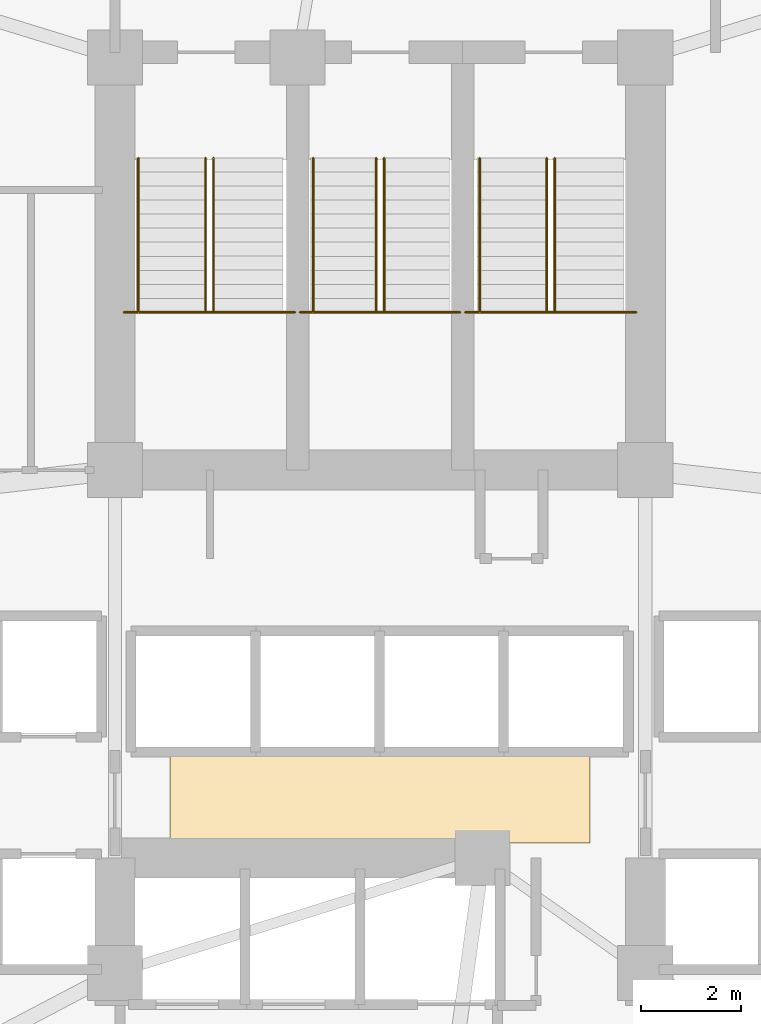
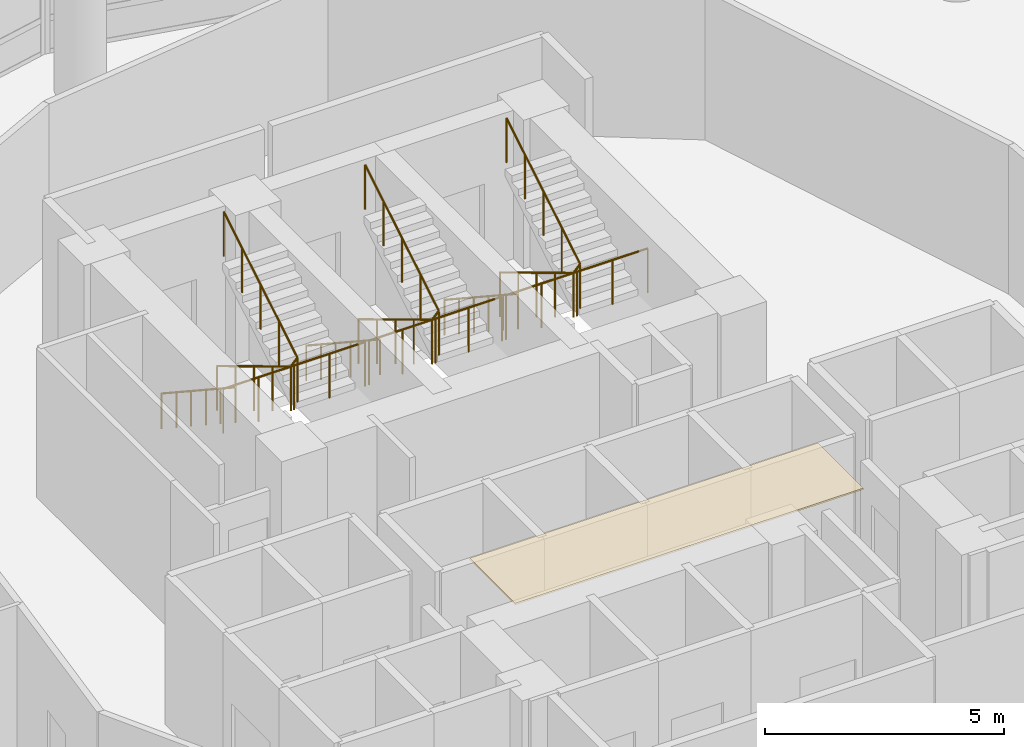
# One storey, part 24 of 24: 9 railings, 1 covering.
"""IFC4 building model written with IfcOpenShell, lengths in metres."""

import ifcopenshell
import ifcopenshell.guid

model = None  # the IFC model being written
_history = None  # IfcOwnerHistory: only IFC2X3 demands one
_inside = {}  # id of a spatial element -> (the spatial element, [elements in it])
_under = {}  # id of a project, library or spatial element -> (it, [spatial elements below it])
_declared = {}  # id of a project -> (the project, [libraries it declares])
_typed = {}  # id of a type object -> (the type object, [elements of that type])
_made_of = {}  # id of a material, layer set ... -> (it, [elements and type objects made of it])


def new_model(schema):
    """Start an empty IFC model of exactly this schema.

    Asked for "IFC4X3", IfcOpenShell would pick the latest addendum, in which some entities
    have other attributes; the version numbers below select the first issue.
    IFC2X3 requires an IfcOwnerHistory on every rooted entity: one is made here for all.
    """
    global model, _history
    if schema == "IFC4X3":
        model = ifcopenshell.file(schema_version=(4, 3, 0, 0))
    else:
        model = ifcopenshell.file(schema=schema)
    _inside.clear()
    _under.clear()
    _declared.clear()
    _typed.clear()
    _made_of.clear()
    _history = None
    if model.schema == "IFC2X3":
        org = make("IfcOrganization", Name="unknown")
        user = make(
            "IfcPersonAndOrganization",
            ThePerson=make("IfcPerson", FamilyName="unknown"),
            TheOrganization=org,
        )
        app = make(
            "IfcApplication",
            ApplicationDeveloper=org,
            Version="unknown",
            ApplicationFullName="unknown",
            ApplicationIdentifier="unknown",
        )
        _history = make(
            "IfcOwnerHistory",
            OwningUser=user,
            OwningApplication=app,
            ChangeAction="ADDED",
            CreationDate=0,
        )
    return model


def make(cls, **values):
    """One entity of the class cls with the attributes given. An attribute that is None is left unset."""
    return model.create_entity(
        cls, **{name: value for name, value in values.items() if value is not None}
    )


def rooted(cls, **values):
    """An entity with a GlobalId (a new one), such as an element, a storey or a relation."""
    return make(cls, GlobalId=ifcopenshell.guid.new(), OwnerHistory=_history, **values)


def si_unit(unit_type, name, prefix=None):
    """IfcSIUnit, for example si_unit("LENGTHUNIT", "METRE", prefix="MILLI")."""
    return make("IfcSIUnit", UnitType=unit_type, Prefix=prefix, Name=name)


def assignment(units):
    """IfcUnitAssignment: the units of a project."""
    return None if units is None else make("IfcUnitAssignment", Units=units)


def point(xyz):
    """IfcCartesianPoint."""
    return None if xyz is None else make("IfcCartesianPoint", Coordinates=xyz)


def direction(xyz):
    """IfcDirection."""
    return None if xyz is None else make("IfcDirection", DirectionRatios=xyz)


def frame(location, z_axis=None, x_axis=None):
    """IfcAxis2Placement3D, a coordinate frame: its origin and axes. An axis left out is left unset."""
    return make(
        "IfcAxis2Placement3D",
        Location=point(location),
        Axis=direction(z_axis),
        RefDirection=direction(x_axis),
    )


def origin():
    """The frame at (0, 0, 0) with its axes left unset."""
    return frame((0.0, 0.0, 0.0))


def place(relative_to, where):
    """IfcLocalPlacement: puts the frame where relative to a parent placement (None: the world)."""
    return make(
        "IfcLocalPlacement", PlacementRelTo=relative_to, RelativePlacement=where
    )


def context(
    kind, dimensions, precision=None, world=None, true_north=None, identifier=None
):
    """IfcGeometricRepresentationContext, for example the 3D "Model" context."""
    return make(
        "IfcGeometricRepresentationContext",
        ContextIdentifier=identifier,
        ContextType=kind,
        CoordinateSpaceDimension=dimensions,
        Precision=precision,
        WorldCoordinateSystem=world,
        TrueNorth=true_north,
    )


def subcontext(parent, identifier, kind, view, scale=None):
    """IfcGeometricRepresentationSubContext, for example "Body" below "Model"."""
    return make(
        "IfcGeometricRepresentationSubContext",
        ContextIdentifier=identifier,
        ContextType=kind,
        ParentContext=parent,
        TargetScale=scale,
        TargetView=view,
    )


def project(units=None, contexts=None):
    """IfcProject with its units and contexts."""
    return rooted(
        "IfcProject",
        Name="project",
        RepresentationContexts=contexts,
        UnitsInContext=assignment(units),
    )


def spatial(cls, under=None, at=None, **own):
    """A site, building, storey or space (cls), placed at a placement, below another one or the project."""
    s = rooted(cls, ObjectPlacement=at, **own)
    if under is not None:
        _under.setdefault(under.id(), (under, []))[1].append(s)
    return s


def polyline(points):
    """IfcPolyline through the points."""
    return make("IfcPolyline", Points=[point(p) for p in points])


def outline(outer, holes=None, kind="AREA"):
    """IfcArbitraryClosedProfileDef: a profile drawn as a closed curve; with holes, ...WithVoids."""
    if holes is None:
        return make("IfcArbitraryClosedProfileDef", ProfileType=kind, OuterCurve=outer)
    return make(
        "IfcArbitraryProfileDefWithVoids",
        ProfileType=kind,
        OuterCurve=outer,
        InnerCurves=holes,
    )


def extrude(swept, where, along, depth):
    """IfcExtrudedAreaSolid: the profile swept, set in the frame where, extruded along a direction by depth."""
    return make(
        "IfcExtrudedAreaSolid",
        SweptArea=swept,
        Position=where,
        ExtrudedDirection=direction(along),
        Depth=depth,
    )


def shape(context_of_items, identifier, shape_type, items):
    """IfcShapeRepresentation: the items that make up one representation, for example the "Body"."""
    return make(
        "IfcShapeRepresentation",
        ContextOfItems=context_of_items,
        RepresentationIdentifier=identifier,
        RepresentationType=shape_type,
        Items=items,
    )


def material(Name=None, Category=None):
    """IfcMaterial."""
    return make("IfcMaterial", Name=Name, Category=Category)


def layer(
    of_material, thickness, ventilated=None, Name=None, Category=None, Priority=None
):
    """IfcMaterialLayer: one layer of a wall or slab, of a material (None: an air gap)."""
    return make(
        "IfcMaterialLayer",
        Material=of_material,
        LayerThickness=thickness,
        IsVentilated=ventilated,
        Name=Name,
        Category=Category,
        Priority=Priority,
    )


def layer_set(layers, Name=None):
    """IfcMaterialLayerSet."""
    return make("IfcMaterialLayerSet", MaterialLayers=layers, LayerSetName=Name)


def made_of(thing, what):
    """Note that an element or type object is made of a material, layer set ...; save() writes the relation."""
    if what is not None:
        _made_of.setdefault(what.id(), (what, []))[1].append(thing)
    return thing


def type_object(cls, material=None, **own):
    """A type object (cls), such as IfcWallType, which elements share."""
    return made_of(rooted(cls, **own), material)


def element(
    cls,
    number,
    at=None,
    inside=None,
    cuts=None,
    type_object=None,
    material=None,
    context=None,
    identifier="Body",
    shape_type=None,
    held_by="IfcProductDefinitionShape",
    body=None,
    shapes=None,
    **own,
):
    """One element of the class cls, such as IfcWall. Its Tag is "e" and its number.

    at: its placement. inside: the storey or other place that contains it. cuts: it is an
    opening in that element (IfcRelVoidsElement). A single representation is given by context,
    identifier, shape_type and body (its items); several are given by shapes. held_by: the class
    of the entity that holds the representations. save() writes the other relations.
    """
    e = rooted(cls, Tag="e%d" % number, ObjectPlacement=at, **own)
    if body is not None:
        shapes = [shape(context, identifier, shape_type, body)]
    if shapes is not None:
        e.Representation = make(held_by, Representations=shapes)
    if inside is not None:
        _inside.setdefault(inside.id(), (inside, []))[1].append(e)
    if cuts is not None:
        rooted(
            "IfcRelVoidsElement", RelatingBuildingElement=cuts, RelatedOpeningElement=e
        )
    if type_object is not None:
        _typed.setdefault(type_object.id(), (type_object, []))[1].append(e)
    return made_of(e, material)


def aggregate(whole, parts):
    """IfcRelAggregates: a whole, such as a stair, and the parts it consists of."""
    return rooted("IfcRelAggregates", RelatingObject=whole, RelatedObjects=parts)


def save(model, path):
    """Write the relations noted so far, then the file.

    IfcRelAggregates (storeys below a building ...), IfcRelContainedInSpatialStructure (elements
    in a storey), IfcRelDefinesByType, IfcRelAssociatesMaterial and IfcRelDeclares: one each for
    every whole, place, type object, material and project.
    """
    for whole, parts in _under.values():
        aggregate(whole, parts)
    for where, things in _inside.values():
        rooted(
            "IfcRelContainedInSpatialStructure",
            RelatedElements=things,
            RelatingStructure=where,
        )
    for kind, things in _typed.values():
        rooted("IfcRelDefinesByType", RelatedObjects=things, RelatingType=kind)
    for what, things in _made_of.values():
        rooted("IfcRelAssociatesMaterial", RelatedObjects=things, RelatingMaterial=what)
    for by, libraries in _declared.values():
        rooted("IfcRelDeclares", RelatingContext=by, RelatedDefinitions=libraries)
    model.write(path)


model = new_model("IFC4")

# Units and contexts
model_context = context("Model", 3, precision=1e-05, world=origin(), true_north=direction((0.0, 1.0)))
body_context = subcontext(model_context, "Body", "Model", "MODEL_VIEW")
ifc_project = project(units=[si_unit("LENGTHUNIT", "METRE"), si_unit("AREAUNIT", "SQUARE_METRE"), si_unit("VOLUMEUNIT", "CUBIC_METRE"), si_unit("PLANEANGLEUNIT", "RADIAN"), si_unit("MASSUNIT", "GRAM", prefix="KILO")], contexts=[model_context])

# Site, building, storey
site_placement = place(None, origin())
site = spatial("IfcSite", under=ifc_project, at=site_placement, CompositionType="ELEMENT")
building_placement = place(site_placement, origin())
building = spatial("IfcBuilding", under=site, at=building_placement, Name="Nuhasar Tower", CompositionType="ELEMENT")
storey_placement = place(building_placement, frame((0.0, 0.0, 33.14990234375)))
storey = spatial("IfcBuildingStorey", under=building, at=storey_placement, Name="L07", CompositionType="ELEMENT", Elevation=33.14990234375)

# Covering
ifc_material_1 = material(Name="Mineral Fibre Acoustic", Category="insulation")
ifc_layer = layer(ifc_material_1, 0.0400390625)
ifc_layer_set = layer_set([ifc_layer], Name="Mineral Fibre Acoustic")
covering_type = type_object("IfcCoveringType", Name="COV-CEIL-AC60", PredefinedType="CEILING", material=ifc_layer_set)
covering_placement = place(storey_placement, frame((0.0, 0.0, 3.75)))
element("IfcCovering", 1, at=covering_placement, inside=storey, type_object=covering_type, Name="L07 Lift Lobby Acoustic Ceiling", PredefinedType="CEILING", context=body_context, shape_type="SweptSolid", body=[
    extrude(outline(polyline([(34.800048828125, 21.60009765625), (43.199951171875, 21.60009765625), (43.199951171875, 23.5), (34.800048828125, 23.5), (34.800048828125, 21.60009765625)])), origin(), (0.0, 0.0, 1.0), 0.0400390625),
])

# Railings
ifc_material_2 = material(Name="Steel S355", Category="steel")
railing_type_1 = type_object("IfcRailingType", Name="RLG-STAIR-GUARD-1150", PredefinedType="GUARDRAIL", material=ifc_material_2)
railing_1_placement = place(storey_placement, frame((33.8798828125, 32.205078125, 2.025146484375)))
element("IfcRailing", 2, at=railing_1_placement, inside=storey, type_object=railing_type_1, Name="L07 Stair ST-01 Guardrail LND", PredefinedType="GUARDRAIL", context=body_context, shape_type="SweptSolid", body=[
    extrude(outline(polyline([(0.024169921875, 0.0), (0.01708984375, 0.01708984375), (0.0, 0.024169921875), (-0.01708984375, 0.01708984375), (-0.024169921875, 0.0), (-0.01708984375, -0.01708984375), (0.0, -0.024169921875), (0.01708984375, -0.01708984375), (0.024169921875, 0.0)])), frame((0.0, 0.0, 1.1259765625), z_axis=(1.0, 0.0, 0.0), x_axis=(0.0, 1.0, 0.0)), (0.0, 0.0, 1.0), 3.420166015625),
    extrude(outline(polyline([(0.02099609375, 0.0), (0.014892578125, 0.014892578125), (0.0, 0.02099609375), (-0.014892578125, 0.014892578125), (-0.02099609375, 0.0), (-0.014892578125, -0.014892578125), (0.0, -0.02099609375), (0.014892578125, -0.014892578125), (0.02099609375, 0.0)])), origin(), (0.0, 0.0, 1.0), 1.101806640625),
    extrude(outline(polyline([(0.02099609375, 0.0), (0.014892578125, 0.014892578125), (0.0, 0.02099609375), (-0.014892578125, 0.014892578125), (-0.02099609375, 0.0), (-0.014892578125, -0.014892578125), (0.0, -0.02099609375), (0.014892578125, -0.014892578125), (0.02099609375, 0.0)])), frame((0.85498046875, 0.0, 0.0)), (0.0, 0.0, 1.0), 1.101806640625),
    extrude(outline(polyline([(0.02099609375, 0.0), (0.014892578125, 0.014892578125), (0.0, 0.02099609375), (-0.014892578125, 0.014892578125), (-0.02099609375, 0.0), (-0.014892578125, -0.014892578125), (0.0, -0.02099609375), (0.014892578125, -0.014892578125), (0.02099609375, 0.0)])), frame((1.7099609375, 0.0, 0.0)), (0.0, 0.0, 1.0), 1.101806640625),
    extrude(outline(polyline([(0.02099609375, 0.0), (0.014892578125, 0.014892578125), (0.0, 0.02099609375), (-0.014892578125, 0.014892578125), (-0.02099609375, 0.0), (-0.014892578125, -0.014892578125), (0.0, -0.02099609375), (0.014892578125, -0.014892578125), (0.02099609375, 0.0)])), frame((2.565185546875, 0.0, 0.0)), (0.0, 0.0, 1.0), 1.101806640625),
    extrude(outline(polyline([(0.02099609375, 0.0), (0.014892578125, 0.014892578125), (0.0, 0.02099609375), (-0.014892578125, 0.014892578125), (-0.02099609375, 0.0), (-0.014892578125, -0.014892578125), (0.0, -0.02099609375), (0.014892578125, -0.014892578125), (0.02099609375, 0.0)])), frame((3.420166015625, 0.0, 0.0)), (0.0, 0.0, 1.0), 1.101806640625),
])
railing_2_placement = place(storey_placement, frame((35.510009765625, 35.284912109375, 0.169189453125)))
element("IfcRailing", 3, at=railing_2_placement, inside=storey, type_object=railing_type_1, Name="L07 Stair ST-01 Guardrail SLT", PredefinedType="GUARDRAIL", context=body_context, shape_type="SweptSolid", body=[
    extrude(outline(polyline([(0.024169921875, 0.0), (0.01708984375, 0.01708984375), (0.0, 0.024169921875), (-0.01708984375, 0.01708984375), (-0.024169921875, 0.0), (-0.01708984375, -0.01708984375), (0.0, -0.024169921875), (0.01708984375, -0.01708984375), (0.024169921875, 0.0)])), frame((0.0, 0.0, 1.1259765625), z_axis=(0.0, -0.856502863198, 0.516142272377), x_axis=(1.0, 0.0, 0.0)), (0.0, 0.0, 1.0), 3.595703125),
    extrude(outline(polyline([(0.024169921875, 0.0), (0.01708984375, 0.01708984375), (0.0, 0.024169921875), (-0.01708984375, 0.01708984375), (-0.024169921875, 0.0), (-0.01708984375, -0.01708984375), (0.0, -0.024169921875), (0.01708984375, -0.01708984375), (0.024169921875, 0.0)])), frame((0.0, -3.079833984375, 2.98193359375), z_axis=(0.687424367727, 0.0, 0.726255973232), x_axis=(0.0, 1.0, 0.0)), (0.0, 0.0, 1.0), 0.232666015625),
    extrude(outline(polyline([(0.024169921875, 0.0), (0.01708984375, 0.01708984375), (0.0, 0.024169921875), (-0.01708984375, 0.01708984375), (-0.024169921875, 0.0), (-0.01708984375, -0.01708984375), (0.0, -0.024169921875), (0.01708984375, -0.01708984375), (0.024169921875, 0.0)])), frame((0.159912109375, -3.079833984375, 3.15087890625), z_axis=(0.0, 0.856502863198, 0.516142272377), x_axis=(-1.0, 0.0, 0.0)), (0.0, 0.0, 1.0), 3.595703125),
    extrude(outline(polyline([(0.02099609375, 0.0), (0.014892578125, 0.014892578125), (0.0, 0.02099609375), (-0.014892578125, 0.014892578125), (-0.02099609375, 0.0), (-0.014892578125, -0.014892578125), (0.0, -0.02099609375), (0.014892578125, -0.014892578125), (0.02099609375, 0.0)])), origin(), (0.0, 0.0, 1.0), 1.101806640625),
    extrude(outline(polyline([(0.02099609375, 0.0), (0.014892578125, 0.014892578125), (0.0, 0.02099609375), (-0.014892578125, 0.014892578125), (-0.02099609375, 0.0), (-0.014892578125, -0.014892578125), (0.0, -0.02099609375), (0.014892578125, -0.014892578125), (0.02099609375, 0.0)])), frame((0.0, -0.77001953125, 0.4638671875)), (0.0, 0.0, 1.0), 1.101806640625),
    extrude(outline(polyline([(0.02099609375, 0.0), (0.014892578125, 0.014892578125), (0.0, 0.02099609375), (-0.014892578125, 0.014892578125), (-0.02099609375, 0.0), (-0.014892578125, -0.014892578125), (0.0, -0.02099609375), (0.014892578125, -0.014892578125), (0.02099609375, 0.0)])), frame((0.0, -1.5400390625, 0.927978515625)), (0.0, 0.0, 1.0), 1.101806640625),
    extrude(outline(polyline([(0.02099609375, 0.0), (0.014892578125, 0.014892578125), (0.0, 0.02099609375), (-0.014892578125, 0.014892578125), (-0.02099609375, 0.0), (-0.014892578125, -0.014892578125), (0.0, -0.02099609375), (0.014892578125, -0.014892578125), (0.02099609375, 0.0)])), frame((0.0, -2.309814453125, 1.39208984375)), (0.0, 0.0, 1.0), 1.101806640625),
    extrude(outline(polyline([(0.02099609375, 0.0), (0.014892578125, 0.014892578125), (0.0, 0.02099609375), (-0.014892578125, 0.014892578125), (-0.02099609375, 0.0), (-0.014892578125, -0.014892578125), (0.0, -0.02099609375), (0.014892578125, -0.014892578125), (0.02099609375, 0.0)])), frame((0.0, -3.079833984375, 1.85595703125)), (0.0, 0.0, 1.0), 1.101806640625),
    extrude(outline(polyline([(0.02099609375, 0.0), (0.014892578125, 0.014892578125), (0.0, 0.02099609375), (-0.014892578125, 0.014892578125), (-0.02099609375, 0.0), (-0.014892578125, -0.014892578125), (0.0, -0.02099609375), (0.014892578125, -0.014892578125), (0.02099609375, 0.0)])), frame((0.159912109375, -3.079833984375, 2.02490234375)), (0.0, 0.0, 1.0), 1.101806640625),
    extrude(outline(polyline([(0.02099609375, 0.0), (0.014892578125, 0.014892578125), (0.0, 0.02099609375), (-0.014892578125, 0.014892578125), (-0.02099609375, 0.0), (-0.014892578125, -0.014892578125), (0.0, -0.02099609375), (0.014892578125, -0.014892578125), (0.02099609375, 0.0)])), frame((0.159912109375, -2.309814453125, 2.48876953125)), (0.0, 0.0, 1.0), 1.101806640625),
    extrude(outline(polyline([(0.02099609375, 0.0), (0.014892578125, 0.014892578125), (0.0, 0.02099609375), (-0.014892578125, 0.014892578125), (-0.02099609375, 0.0), (-0.014892578125, -0.014892578125), (0.0, -0.02099609375), (0.014892578125, -0.014892578125), (0.02099609375, 0.0)])), frame((0.159912109375, -1.5400390625, 2.952880859375)), (0.0, 0.0, 1.0), 1.101806640625),
    extrude(outline(polyline([(0.02099609375, 0.0), (0.014892578125, 0.014892578125), (0.0, 0.02099609375), (-0.014892578125, 0.014892578125), (-0.02099609375, 0.0), (-0.014892578125, -0.014892578125), (0.0, -0.02099609375), (0.014892578125, -0.014892578125), (0.02099609375, 0.0)])), frame((0.159912109375, -0.77001953125, 3.4169921875)), (0.0, 0.0, 1.0), 1.101806640625),
    extrude(outline(polyline([(0.02099609375, 0.0), (0.014892578125, 0.014892578125), (0.0, 0.02099609375), (-0.014892578125, 0.014892578125), (-0.02099609375, 0.0), (-0.014892578125, -0.014892578125), (0.0, -0.02099609375), (0.014892578125, -0.014892578125), (0.02099609375, 0.0)])), frame((0.159912109375, 0.0, 3.880859375)), (0.0, 0.0, 1.0), 1.101806640625),
])
railing_3_placement = place(storey_placement, frame((37.39990234375, 32.205078125, 2.025146484375)))
element("IfcRailing", 4, at=railing_3_placement, inside=storey, type_object=railing_type_1, Name="L07 Stair ST-03 Guardrail LND", PredefinedType="GUARDRAIL", context=body_context, shape_type="SweptSolid", body=[
    extrude(outline(polyline([(0.024169921875, 0.0), (0.01708984375, 0.01708984375), (0.0, 0.024169921875), (-0.01708984375, 0.01708984375), (-0.024169921875, 0.0), (-0.01708984375, -0.01708984375), (0.0, -0.024169921875), (0.01708984375, -0.01708984375), (0.024169921875, 0.0)])), frame((0.0, 0.0, 1.1259765625), z_axis=(1.0, 0.0, 0.0), x_axis=(0.0, 1.0, 0.0)), (0.0, 0.0, 1.0), 3.2001953125),
    extrude(outline(polyline([(0.02099609375, 0.0), (0.014892578125, 0.014892578125), (0.0, 0.02099609375), (-0.014892578125, 0.014892578125), (-0.02099609375, 0.0), (-0.014892578125, -0.014892578125), (0.0, -0.02099609375), (0.014892578125, -0.014892578125), (0.02099609375, 0.0)])), origin(), (0.0, 0.0, 1.0), 1.101806640625),
    extrude(outline(polyline([(0.02099609375, 0.0), (0.014892578125, 0.014892578125), (0.0, 0.02099609375), (-0.014892578125, 0.014892578125), (-0.02099609375, 0.0), (-0.014892578125, -0.014892578125), (0.0, -0.02099609375), (0.014892578125, -0.014892578125), (0.02099609375, 0.0)])), frame((0.800048828125, 0.0, 0.0)), (0.0, 0.0, 1.0), 1.101806640625),
    extrude(outline(polyline([(0.02099609375, 0.0), (0.014892578125, 0.014892578125), (0.0, 0.02099609375), (-0.014892578125, 0.014892578125), (-0.02099609375, 0.0), (-0.014892578125, -0.014892578125), (0.0, -0.02099609375), (0.014892578125, -0.014892578125), (0.02099609375, 0.0)])), frame((1.60009765625, 0.0, 0.0)), (0.0, 0.0, 1.0), 1.101806640625),
    extrude(outline(polyline([(0.02099609375, 0.0), (0.014892578125, 0.014892578125), (0.0, 0.02099609375), (-0.014892578125, 0.014892578125), (-0.02099609375, 0.0), (-0.014892578125, -0.014892578125), (0.0, -0.02099609375), (0.014892578125, -0.014892578125), (0.02099609375, 0.0)])), frame((2.400146484375, 0.0, 0.0)), (0.0, 0.0, 1.0), 1.101806640625),
    extrude(outline(polyline([(0.02099609375, 0.0), (0.014892578125, 0.014892578125), (0.0, 0.02099609375), (-0.014892578125, 0.014892578125), (-0.02099609375, 0.0), (-0.014892578125, -0.014892578125), (0.0, -0.02099609375), (0.014892578125, -0.014892578125), (0.02099609375, 0.0)])), frame((3.2001953125, 0.0, 0.0)), (0.0, 0.0, 1.0), 1.101806640625),
])
railing_4_placement = place(storey_placement, frame((38.919921875, 35.284912109375, 0.169189453125)))
element("IfcRailing", 5, at=railing_4_placement, inside=storey, type_object=railing_type_1, Name="L07 Stair ST-03 Guardrail SLT", PredefinedType="GUARDRAIL", context=body_context, shape_type="SweptSolid", body=[
    extrude(outline(polyline([(0.024169921875, 0.0), (0.01708984375, 0.01708984375), (0.0, 0.024169921875), (-0.01708984375, 0.01708984375), (-0.024169921875, 0.0), (-0.01708984375, -0.01708984375), (0.0, -0.024169921875), (0.01708984375, -0.01708984375), (0.024169921875, 0.0)])), frame((0.0, 0.0, 1.1259765625), z_axis=(0.0, -0.856502863198, 0.516142272377), x_axis=(1.0, 0.0, 0.0)), (0.0, 0.0, 1.0), 3.595703125),
    extrude(outline(polyline([(0.024169921875, 0.0), (0.01708984375, 0.01708984375), (0.0, 0.024169921875), (-0.01708984375, 0.01708984375), (-0.024169921875, 0.0), (-0.01708984375, -0.01708984375), (0.0, -0.024169921875), (0.01708984375, -0.01708984375), (0.024169921875, 0.0)])), frame((0.0, -3.079833984375, 2.98193359375), z_axis=(0.687977326998, 0.0, 0.725732180309), x_axis=(0.0, 1.0, 0.0)), (0.0, 0.0, 1.0), 0.23291015625),
    extrude(outline(polyline([(0.024169921875, 0.0), (0.01708984375, 0.01708984375), (0.0, 0.024169921875), (-0.01708984375, 0.01708984375), (-0.024169921875, 0.0), (-0.01708984375, -0.01708984375), (0.0, -0.024169921875), (0.01708984375, -0.01708984375), (0.024169921875, 0.0)])), frame((0.16015625, -3.079833984375, 3.15087890625), z_axis=(0.0, 0.856502863198, 0.516142272377), x_axis=(-1.0, 0.0, 0.0)), (0.0, 0.0, 1.0), 3.595703125),
    extrude(outline(polyline([(0.02099609375, 0.0), (0.014892578125, 0.014892578125), (0.0, 0.02099609375), (-0.014892578125, 0.014892578125), (-0.02099609375, 0.0), (-0.014892578125, -0.014892578125), (0.0, -0.02099609375), (0.014892578125, -0.014892578125), (0.02099609375, 0.0)])), origin(), (0.0, 0.0, 1.0), 1.101806640625),
    extrude(outline(polyline([(0.02099609375, 0.0), (0.014892578125, 0.014892578125), (0.0, 0.02099609375), (-0.014892578125, 0.014892578125), (-0.02099609375, 0.0), (-0.014892578125, -0.014892578125), (0.0, -0.02099609375), (0.014892578125, -0.014892578125), (0.02099609375, 0.0)])), frame((0.0, -0.77001953125, 0.4638671875)), (0.0, 0.0, 1.0), 1.101806640625),
    extrude(outline(polyline([(0.02099609375, 0.0), (0.014892578125, 0.014892578125), (0.0, 0.02099609375), (-0.014892578125, 0.014892578125), (-0.02099609375, 0.0), (-0.014892578125, -0.014892578125), (0.0, -0.02099609375), (0.014892578125, -0.014892578125), (0.02099609375, 0.0)])), frame((0.0, -1.5400390625, 0.927978515625)), (0.0, 0.0, 1.0), 1.101806640625),
    extrude(outline(polyline([(0.02099609375, 0.0), (0.014892578125, 0.014892578125), (0.0, 0.02099609375), (-0.014892578125, 0.014892578125), (-0.02099609375, 0.0), (-0.014892578125, -0.014892578125), (0.0, -0.02099609375), (0.014892578125, -0.014892578125), (0.02099609375, 0.0)])), frame((0.0, -2.309814453125, 1.39208984375)), (0.0, 0.0, 1.0), 1.101806640625),
    extrude(outline(polyline([(0.02099609375, 0.0), (0.014892578125, 0.014892578125), (0.0, 0.02099609375), (-0.014892578125, 0.014892578125), (-0.02099609375, 0.0), (-0.014892578125, -0.014892578125), (0.0, -0.02099609375), (0.014892578125, -0.014892578125), (0.02099609375, 0.0)])), frame((0.0, -3.079833984375, 1.85595703125)), (0.0, 0.0, 1.0), 1.101806640625),
    extrude(outline(polyline([(0.02099609375, 0.0), (0.014892578125, 0.014892578125), (0.0, 0.02099609375), (-0.014892578125, 0.014892578125), (-0.02099609375, 0.0), (-0.014892578125, -0.014892578125), (0.0, -0.02099609375), (0.014892578125, -0.014892578125), (0.02099609375, 0.0)])), frame((0.16015625, -3.079833984375, 2.02490234375)), (0.0, 0.0, 1.0), 1.101806640625),
    extrude(outline(polyline([(0.02099609375, 0.0), (0.014892578125, 0.014892578125), (0.0, 0.02099609375), (-0.014892578125, 0.014892578125), (-0.02099609375, 0.0), (-0.014892578125, -0.014892578125), (0.0, -0.02099609375), (0.014892578125, -0.014892578125), (0.02099609375, 0.0)])), frame((0.16015625, -2.309814453125, 2.48876953125)), (0.0, 0.0, 1.0), 1.101806640625),
    extrude(outline(polyline([(0.02099609375, 0.0), (0.014892578125, 0.014892578125), (0.0, 0.02099609375), (-0.014892578125, 0.014892578125), (-0.02099609375, 0.0), (-0.014892578125, -0.014892578125), (0.0, -0.02099609375), (0.014892578125, -0.014892578125), (0.02099609375, 0.0)])), frame((0.16015625, -1.5400390625, 2.952880859375)), (0.0, 0.0, 1.0), 1.101806640625),
    extrude(outline(polyline([(0.02099609375, 0.0), (0.014892578125, 0.014892578125), (0.0, 0.02099609375), (-0.014892578125, 0.014892578125), (-0.02099609375, 0.0), (-0.014892578125, -0.014892578125), (0.0, -0.02099609375), (0.014892578125, -0.014892578125), (0.02099609375, 0.0)])), frame((0.16015625, -0.77001953125, 3.4169921875)), (0.0, 0.0, 1.0), 1.101806640625),
    extrude(outline(polyline([(0.02099609375, 0.0), (0.014892578125, 0.014892578125), (0.0, 0.02099609375), (-0.014892578125, 0.014892578125), (-0.02099609375, 0.0), (-0.014892578125, -0.014892578125), (0.0, -0.02099609375), (0.014892578125, -0.014892578125), (0.02099609375, 0.0)])), frame((0.16015625, 0.0, 3.880859375)), (0.0, 0.0, 1.0), 1.101806640625),
])
railing_5_placement = place(storey_placement, frame((40.699951171875, 32.205078125, 2.025146484375)))
element("IfcRailing", 6, at=railing_5_placement, inside=storey, type_object=railing_type_1, Name="L07 Stair ST-02 Guardrail LND", PredefinedType="GUARDRAIL", context=body_context, shape_type="SweptSolid", body=[
    extrude(outline(polyline([(0.024169921875, 0.0), (0.01708984375, 0.01708984375), (0.0, 0.024169921875), (-0.01708984375, 0.01708984375), (-0.024169921875, 0.0), (-0.01708984375, -0.01708984375), (0.0, -0.024169921875), (0.01708984375, -0.01708984375), (0.024169921875, 0.0)])), frame((0.0, 0.0, 1.1259765625), z_axis=(1.0, 0.0, 0.0), x_axis=(0.0, 1.0, 0.0)), (0.0, 0.0, 1.0), 3.420166015625),
    extrude(outline(polyline([(0.02099609375, 0.0), (0.014892578125, 0.014892578125), (0.0, 0.02099609375), (-0.014892578125, 0.014892578125), (-0.02099609375, 0.0), (-0.014892578125, -0.014892578125), (0.0, -0.02099609375), (0.014892578125, -0.014892578125), (0.02099609375, 0.0)])), origin(), (0.0, 0.0, 1.0), 1.101806640625),
    extrude(outline(polyline([(0.02099609375, 0.0), (0.014892578125, 0.014892578125), (0.0, 0.02099609375), (-0.014892578125, 0.014892578125), (-0.02099609375, 0.0), (-0.014892578125, -0.014892578125), (0.0, -0.02099609375), (0.014892578125, -0.014892578125), (0.02099609375, 0.0)])), frame((0.85498046875, 0.0, 0.0)), (0.0, 0.0, 1.0), 1.101806640625),
    extrude(outline(polyline([(0.02099609375, 0.0), (0.014892578125, 0.014892578125), (0.0, 0.02099609375), (-0.014892578125, 0.014892578125), (-0.02099609375, 0.0), (-0.014892578125, -0.014892578125), (0.0, -0.02099609375), (0.014892578125, -0.014892578125), (0.02099609375, 0.0)])), frame((1.7099609375, 0.0, 0.0)), (0.0, 0.0, 1.0), 1.101806640625),
    extrude(outline(polyline([(0.02099609375, 0.0), (0.014892578125, 0.014892578125), (0.0, 0.02099609375), (-0.014892578125, 0.014892578125), (-0.02099609375, 0.0), (-0.014892578125, -0.014892578125), (0.0, -0.02099609375), (0.014892578125, -0.014892578125), (0.02099609375, 0.0)])), frame((2.565185546875, 0.0, 0.0)), (0.0, 0.0, 1.0), 1.101806640625),
    extrude(outline(polyline([(0.02099609375, 0.0), (0.014892578125, 0.014892578125), (0.0, 0.02099609375), (-0.014892578125, 0.014892578125), (-0.02099609375, 0.0), (-0.014892578125, -0.014892578125), (0.0, -0.02099609375), (0.014892578125, -0.014892578125), (0.02099609375, 0.0)])), frame((3.420166015625, 0.0, 0.0)), (0.0, 0.0, 1.0), 1.101806640625),
])
railing_6_placement = place(storey_placement, frame((42.330078125, 35.284912109375, 0.169189453125)))
element("IfcRailing", 7, at=railing_6_placement, inside=storey, type_object=railing_type_1, Name="L07 Stair ST-02 Guardrail SLT", PredefinedType="GUARDRAIL", context=body_context, shape_type="SweptSolid", body=[
    extrude(outline(polyline([(0.024169921875, 0.0), (0.01708984375, 0.01708984375), (0.0, 0.024169921875), (-0.01708984375, 0.01708984375), (-0.024169921875, 0.0), (-0.01708984375, -0.01708984375), (0.0, -0.024169921875), (0.01708984375, -0.01708984375), (0.024169921875, 0.0)])), frame((0.0, 0.0, 1.1259765625), z_axis=(0.0, -0.856502863198, 0.516142272377), x_axis=(1.0, 0.0, 0.0)), (0.0, 0.0, 1.0), 3.595703125),
    extrude(outline(polyline([(0.024169921875, 0.0), (0.01708984375, 0.01708984375), (0.0, 0.024169921875), (-0.01708984375, 0.01708984375), (-0.024169921875, 0.0), (-0.01708984375, -0.01708984375), (0.0, -0.024169921875), (0.01708984375, -0.01708984375), (0.024169921875, 0.0)])), frame((0.0, -3.079833984375, 2.98193359375), z_axis=(0.687424367727, 0.0, 0.726255973232), x_axis=(0.0, 1.0, 0.0)), (0.0, 0.0, 1.0), 0.232666015625),
    extrude(outline(polyline([(0.024169921875, 0.0), (0.01708984375, 0.01708984375), (0.0, 0.024169921875), (-0.01708984375, 0.01708984375), (-0.024169921875, 0.0), (-0.01708984375, -0.01708984375), (0.0, -0.024169921875), (0.01708984375, -0.01708984375), (0.024169921875, 0.0)])), frame((0.159912109375, -3.079833984375, 3.15087890625), z_axis=(0.0, 0.856502863198, 0.516142272377), x_axis=(-1.0, 0.0, 0.0)), (0.0, 0.0, 1.0), 3.595703125),
    extrude(outline(polyline([(0.02099609375, 0.0), (0.014892578125, 0.014892578125), (0.0, 0.02099609375), (-0.014892578125, 0.014892578125), (-0.02099609375, 0.0), (-0.014892578125, -0.014892578125), (0.0, -0.02099609375), (0.014892578125, -0.014892578125), (0.02099609375, 0.0)])), origin(), (0.0, 0.0, 1.0), 1.101806640625),
    extrude(outline(polyline([(0.02099609375, 0.0), (0.014892578125, 0.014892578125), (0.0, 0.02099609375), (-0.014892578125, 0.014892578125), (-0.02099609375, 0.0), (-0.014892578125, -0.014892578125), (0.0, -0.02099609375), (0.014892578125, -0.014892578125), (0.02099609375, 0.0)])), frame((0.0, -0.77001953125, 0.4638671875)), (0.0, 0.0, 1.0), 1.101806640625),
    extrude(outline(polyline([(0.02099609375, 0.0), (0.014892578125, 0.014892578125), (0.0, 0.02099609375), (-0.014892578125, 0.014892578125), (-0.02099609375, 0.0), (-0.014892578125, -0.014892578125), (0.0, -0.02099609375), (0.014892578125, -0.014892578125), (0.02099609375, 0.0)])), frame((0.0, -1.5400390625, 0.927978515625)), (0.0, 0.0, 1.0), 1.101806640625),
    extrude(outline(polyline([(0.02099609375, 0.0), (0.014892578125, 0.014892578125), (0.0, 0.02099609375), (-0.014892578125, 0.014892578125), (-0.02099609375, 0.0), (-0.014892578125, -0.014892578125), (0.0, -0.02099609375), (0.014892578125, -0.014892578125), (0.02099609375, 0.0)])), frame((0.0, -2.309814453125, 1.39208984375)), (0.0, 0.0, 1.0), 1.101806640625),
    extrude(outline(polyline([(0.02099609375, 0.0), (0.014892578125, 0.014892578125), (0.0, 0.02099609375), (-0.014892578125, 0.014892578125), (-0.02099609375, 0.0), (-0.014892578125, -0.014892578125), (0.0, -0.02099609375), (0.014892578125, -0.014892578125), (0.02099609375, 0.0)])), frame((0.0, -3.079833984375, 1.85595703125)), (0.0, 0.0, 1.0), 1.101806640625),
    extrude(outline(polyline([(0.02099609375, 0.0), (0.014892578125, 0.014892578125), (0.0, 0.02099609375), (-0.014892578125, 0.014892578125), (-0.02099609375, 0.0), (-0.014892578125, -0.014892578125), (0.0, -0.02099609375), (0.014892578125, -0.014892578125), (0.02099609375, 0.0)])), frame((0.159912109375, -3.079833984375, 2.02490234375)), (0.0, 0.0, 1.0), 1.101806640625),
    extrude(outline(polyline([(0.02099609375, 0.0), (0.014892578125, 0.014892578125), (0.0, 0.02099609375), (-0.014892578125, 0.014892578125), (-0.02099609375, 0.0), (-0.014892578125, -0.014892578125), (0.0, -0.02099609375), (0.014892578125, -0.014892578125), (0.02099609375, 0.0)])), frame((0.159912109375, -2.309814453125, 2.48876953125)), (0.0, 0.0, 1.0), 1.101806640625),
    extrude(outline(polyline([(0.02099609375, 0.0), (0.014892578125, 0.014892578125), (0.0, 0.02099609375), (-0.014892578125, 0.014892578125), (-0.02099609375, 0.0), (-0.014892578125, -0.014892578125), (0.0, -0.02099609375), (0.014892578125, -0.014892578125), (0.02099609375, 0.0)])), frame((0.159912109375, -1.5400390625, 2.952880859375)), (0.0, 0.0, 1.0), 1.101806640625),
    extrude(outline(polyline([(0.02099609375, 0.0), (0.014892578125, 0.014892578125), (0.0, 0.02099609375), (-0.014892578125, 0.014892578125), (-0.02099609375, 0.0), (-0.014892578125, -0.014892578125), (0.0, -0.02099609375), (0.014892578125, -0.014892578125), (0.02099609375, 0.0)])), frame((0.159912109375, -0.77001953125, 3.4169921875)), (0.0, 0.0, 1.0), 1.101806640625),
    extrude(outline(polyline([(0.02099609375, 0.0), (0.014892578125, 0.014892578125), (0.0, 0.02099609375), (-0.014892578125, 0.014892578125), (-0.02099609375, 0.0), (-0.014892578125, -0.014892578125), (0.0, -0.02099609375), (0.014892578125, -0.014892578125), (0.02099609375, 0.0)])), frame((0.159912109375, 0.0, 3.880859375)), (0.0, 0.0, 1.0), 1.101806640625),
])
ifc_material_3 = material(Name="Stainless Steel 316L", Category="steel")
railing_type_2 = type_object("IfcRailingType", Name="RLG-STAIR-HAND-920", PredefinedType="HANDRAIL", material=ifc_material_3)
railing_7_placement = place(storey_placement, frame((34.169921875, 35.284912109375, 0.169189453125)))
element("IfcRailing", 8, at=railing_7_placement, inside=storey, type_object=railing_type_2, Name="L07 Stair ST-01 Handrail HND1", PredefinedType="HANDRAIL", context=body_context, shape_type="SweptSolid", body=[
    extrude(outline(polyline([(0.024169921875, 0.0), (0.01708984375, 0.01708984375), (0.0, 0.024169921875), (-0.01708984375, 0.01708984375), (-0.024169921875, 0.0), (-0.01708984375, -0.01708984375), (0.0, -0.024169921875), (0.01708984375, -0.01708984375), (0.024169921875, 0.0)])), frame((0.0, 0.0, 0.89599609375), z_axis=(0.0, -0.83557951683, 0.54936952141), x_axis=(1.0, 0.0, 0.0)), (0.0, 0.0, 1.0), 3.685791015625),
    extrude(outline(polyline([(0.02099609375, 0.0), (0.014892578125, 0.014892578125), (0.0, 0.02099609375), (-0.014892578125, 0.014892578125), (-0.02099609375, 0.0), (-0.014892578125, -0.014892578125), (0.0, -0.02099609375), (0.014892578125, -0.014892578125), (0.02099609375, 0.0)])), origin(), (0.0, 0.0, 1.0), 0.871826171875),
    extrude(outline(polyline([(0.02099609375, 0.0), (0.014892578125, 0.014892578125), (0.0, 0.02099609375), (-0.014892578125, 0.014892578125), (-0.02099609375, 0.0), (-0.014892578125, -0.014892578125), (0.0, -0.02099609375), (0.014892578125, -0.014892578125), (0.02099609375, 0.0)])), frame((0.0, -0.615966796875, 0.405029296875)), (0.0, 0.0, 1.0), 0.871826171875),
    extrude(outline(polyline([(0.02099609375, 0.0), (0.014892578125, 0.014892578125), (0.0, 0.02099609375), (-0.014892578125, 0.014892578125), (-0.02099609375, 0.0), (-0.014892578125, -0.014892578125), (0.0, -0.02099609375), (0.014892578125, -0.014892578125), (0.02099609375, 0.0)])), frame((0.0, -1.23193359375, 0.81005859375)), (0.0, 0.0, 1.0), 0.871826171875),
    extrude(outline(polyline([(0.02099609375, 0.0), (0.014892578125, 0.014892578125), (0.0, 0.02099609375), (-0.014892578125, 0.014892578125), (-0.02099609375, 0.0), (-0.014892578125, -0.014892578125), (0.0, -0.02099609375), (0.014892578125, -0.014892578125), (0.02099609375, 0.0)])), frame((0.0, -1.847900390625, 1.21484375)), (0.0, 0.0, 1.0), 0.871826171875),
    extrude(outline(polyline([(0.02099609375, 0.0), (0.014892578125, 0.014892578125), (0.0, 0.02099609375), (-0.014892578125, 0.014892578125), (-0.02099609375, 0.0), (-0.014892578125, -0.014892578125), (0.0, -0.02099609375), (0.014892578125, -0.014892578125), (0.02099609375, 0.0)])), frame((0.0, -2.4638671875, 1.619873046875)), (0.0, 0.0, 1.0), 0.871826171875),
    extrude(outline(polyline([(0.02099609375, 0.0), (0.014892578125, 0.014892578125), (0.0, 0.02099609375), (-0.014892578125, 0.014892578125), (-0.02099609375, 0.0), (-0.014892578125, -0.014892578125), (0.0, -0.02099609375), (0.014892578125, -0.014892578125), (0.02099609375, 0.0)])), frame((0.0, -3.079833984375, 2.02490234375)), (0.0, 0.0, 1.0), 0.871826171875),
])
railing_8_placement = place(storey_placement, frame((37.659912109375, 35.284912109375, 0.169189453125)))
element("IfcRailing", 9, at=railing_8_placement, inside=storey, type_object=railing_type_2, Name="L07 Stair ST-03 Handrail HND1", PredefinedType="HANDRAIL", context=body_context, shape_type="SweptSolid", body=[
    extrude(outline(polyline([(0.024169921875, 0.0), (0.01708984375, 0.01708984375), (0.0, 0.024169921875), (-0.01708984375, 0.01708984375), (-0.024169921875, 0.0), (-0.01708984375, -0.01708984375), (0.0, -0.024169921875), (0.01708984375, -0.01708984375), (0.024169921875, 0.0)])), frame((0.0, 0.0, 0.89599609375), z_axis=(0.0, -0.83557951683, 0.54936952141), x_axis=(1.0, 0.0, 0.0)), (0.0, 0.0, 1.0), 3.685791015625),
    extrude(outline(polyline([(0.02099609375, 0.0), (0.014892578125, 0.014892578125), (0.0, 0.02099609375), (-0.014892578125, 0.014892578125), (-0.02099609375, 0.0), (-0.014892578125, -0.014892578125), (0.0, -0.02099609375), (0.014892578125, -0.014892578125), (0.02099609375, 0.0)])), origin(), (0.0, 0.0, 1.0), 0.871826171875),
    extrude(outline(polyline([(0.02099609375, 0.0), (0.014892578125, 0.014892578125), (0.0, 0.02099609375), (-0.014892578125, 0.014892578125), (-0.02099609375, 0.0), (-0.014892578125, -0.014892578125), (0.0, -0.02099609375), (0.014892578125, -0.014892578125), (0.02099609375, 0.0)])), frame((0.0, -0.615966796875, 0.405029296875)), (0.0, 0.0, 1.0), 0.871826171875),
    extrude(outline(polyline([(0.02099609375, 0.0), (0.014892578125, 0.014892578125), (0.0, 0.02099609375), (-0.014892578125, 0.014892578125), (-0.02099609375, 0.0), (-0.014892578125, -0.014892578125), (0.0, -0.02099609375), (0.014892578125, -0.014892578125), (0.02099609375, 0.0)])), frame((0.0, -1.23193359375, 0.81005859375)), (0.0, 0.0, 1.0), 0.871826171875),
    extrude(outline(polyline([(0.02099609375, 0.0), (0.014892578125, 0.014892578125), (0.0, 0.02099609375), (-0.014892578125, 0.014892578125), (-0.02099609375, 0.0), (-0.014892578125, -0.014892578125), (0.0, -0.02099609375), (0.014892578125, -0.014892578125), (0.02099609375, 0.0)])), frame((0.0, -1.847900390625, 1.21484375)), (0.0, 0.0, 1.0), 0.871826171875),
    extrude(outline(polyline([(0.02099609375, 0.0), (0.014892578125, 0.014892578125), (0.0, 0.02099609375), (-0.014892578125, 0.014892578125), (-0.02099609375, 0.0), (-0.014892578125, -0.014892578125), (0.0, -0.02099609375), (0.014892578125, -0.014892578125), (0.02099609375, 0.0)])), frame((0.0, -2.4638671875, 1.619873046875)), (0.0, 0.0, 1.0), 0.871826171875),
    extrude(outline(polyline([(0.02099609375, 0.0), (0.014892578125, 0.014892578125), (0.0, 0.02099609375), (-0.014892578125, 0.014892578125), (-0.02099609375, 0.0), (-0.014892578125, -0.014892578125), (0.0, -0.02099609375), (0.014892578125, -0.014892578125), (0.02099609375, 0.0)])), frame((0.0, -3.079833984375, 2.02490234375)), (0.0, 0.0, 1.0), 0.871826171875),
])
railing_9_placement = place(storey_placement, frame((40.989990234375, 35.284912109375, 0.169189453125)))
element("IfcRailing", 10, at=railing_9_placement, inside=storey, type_object=railing_type_2, Name="L07 Stair ST-02 Handrail HND1", PredefinedType="HANDRAIL", context=body_context, shape_type="SweptSolid", body=[
    extrude(outline(polyline([(0.024169921875, 0.0), (0.01708984375, 0.01708984375), (0.0, 0.024169921875), (-0.01708984375, 0.01708984375), (-0.024169921875, 0.0), (-0.01708984375, -0.01708984375), (0.0, -0.024169921875), (0.01708984375, -0.01708984375), (0.024169921875, 0.0)])), frame((0.0, 0.0, 0.89599609375), z_axis=(0.0, -0.83557951683, 0.54936952141), x_axis=(1.0, 0.0, 0.0)), (0.0, 0.0, 1.0), 3.685791015625),
    extrude(outline(polyline([(0.02099609375, 0.0), (0.014892578125, 0.014892578125), (0.0, 0.02099609375), (-0.014892578125, 0.014892578125), (-0.02099609375, 0.0), (-0.014892578125, -0.014892578125), (0.0, -0.02099609375), (0.014892578125, -0.014892578125), (0.02099609375, 0.0)])), origin(), (0.0, 0.0, 1.0), 0.871826171875),
    extrude(outline(polyline([(0.02099609375, 0.0), (0.014892578125, 0.014892578125), (0.0, 0.02099609375), (-0.014892578125, 0.014892578125), (-0.02099609375, 0.0), (-0.014892578125, -0.014892578125), (0.0, -0.02099609375), (0.014892578125, -0.014892578125), (0.02099609375, 0.0)])), frame((0.0, -0.615966796875, 0.405029296875)), (0.0, 0.0, 1.0), 0.871826171875),
    extrude(outline(polyline([(0.02099609375, 0.0), (0.014892578125, 0.014892578125), (0.0, 0.02099609375), (-0.014892578125, 0.014892578125), (-0.02099609375, 0.0), (-0.014892578125, -0.014892578125), (0.0, -0.02099609375), (0.014892578125, -0.014892578125), (0.02099609375, 0.0)])), frame((0.0, -1.23193359375, 0.81005859375)), (0.0, 0.0, 1.0), 0.871826171875),
    extrude(outline(polyline([(0.02099609375, 0.0), (0.014892578125, 0.014892578125), (0.0, 0.02099609375), (-0.014892578125, 0.014892578125), (-0.02099609375, 0.0), (-0.014892578125, -0.014892578125), (0.0, -0.02099609375), (0.014892578125, -0.014892578125), (0.02099609375, 0.0)])), frame((0.0, -1.847900390625, 1.21484375)), (0.0, 0.0, 1.0), 0.871826171875),
    extrude(outline(polyline([(0.02099609375, 0.0), (0.014892578125, 0.014892578125), (0.0, 0.02099609375), (-0.014892578125, 0.014892578125), (-0.02099609375, 0.0), (-0.014892578125, -0.014892578125), (0.0, -0.02099609375), (0.014892578125, -0.014892578125), (0.02099609375, 0.0)])), frame((0.0, -2.4638671875, 1.619873046875)), (0.0, 0.0, 1.0), 0.871826171875),
    extrude(outline(polyline([(0.02099609375, 0.0), (0.014892578125, 0.014892578125), (0.0, 0.02099609375), (-0.014892578125, 0.014892578125), (-0.02099609375, 0.0), (-0.014892578125, -0.014892578125), (0.0, -0.02099609375), (0.014892578125, -0.014892578125), (0.02099609375, 0.0)])), frame((0.0, -3.079833984375, 2.02490234375)), (0.0, 0.0, 1.0), 0.871826171875),
])

save(model, "model.ifc")
